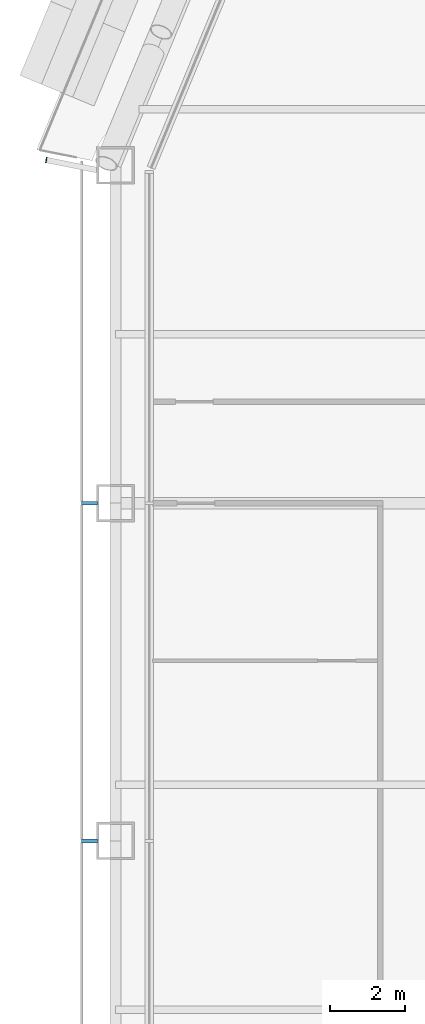
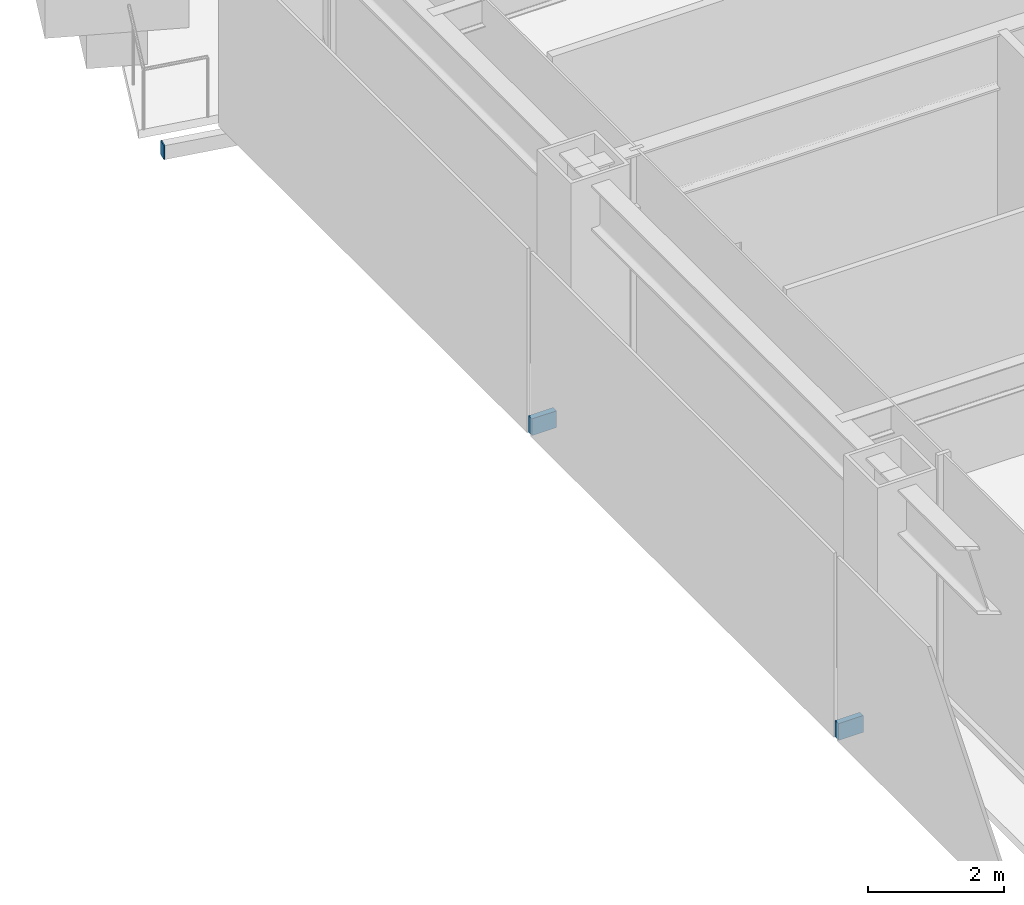
# One storey, part 19 of 29: 3 discrete accessories.
"""IFC4 building model written with IfcOpenShell, lengths in metres."""

from ifc_helpers import new_model, si_unit, direction, frame, origin, origin_2d, place, context, subcontext, project, spatial, rectangle, extrude, material, layer, layer_set, type_object, element, save


model = new_model("IFC4")

# Units and contexts
model_context = context("Model", 3, precision=1e-05, world=origin(), true_north=direction((0.0, 1.0)))
body_context = subcontext(model_context, "Body", "Model", "MODEL_VIEW")
ifc_project = project(units=[si_unit("LENGTHUNIT", "METRE"), si_unit("AREAUNIT", "SQUARE_METRE"), si_unit("VOLUMEUNIT", "CUBIC_METRE"), si_unit("PLANEANGLEUNIT", "RADIAN"), si_unit("MASSUNIT", "GRAM", prefix="KILO")], contexts=[model_context])

# Site, building, storey
site_placement = place(None, origin())
site = spatial("IfcSite", under=ifc_project, at=site_placement, CompositionType="ELEMENT")
building_placement = place(site_placement, origin())
building = spatial("IfcBuilding", under=site, at=building_placement, Name="Siwar Civic Tower", CompositionType="ELEMENT")
storey_placement = place(building_placement, frame((0.0, 0.0, 67.199951171875)))
storey = spatial("IfcBuildingStorey", under=building, at=storey_placement, Name="L14", CompositionType="ELEMENT", Elevation=67.199951171875)

# Discrete accessories
ifc_material_1 = material(Name="Stainless steel 316", Category="steel")
discrete_accessory_type_1 = type_object("IfcDiscreteAccessoryType", Name="ENV-BRACKET", PredefinedType="BRACKET", material=ifc_material_1)
for number, where, z_axis, x_axis, name in (
    (1, (-32.18994140625, 13.5, -0.14990234375), (0.0, 0.0, 1.0), (-1.0, 0.0, 0.0), "Bracket outer skin joint W-01"),
    (2, (-32.18994140625, 4.5, -0.14990234375), (0.0, 0.0, 1.0), (-1.0, 0.0, 0.0), "Bracket outer skin joint W-02"),
):
    element("IfcDiscreteAccessory", number, at=place(storey_placement, frame(where, z_axis=z_axis, x_axis=x_axis)), inside=storey, type_object=discrete_accessory_type_1, Name=name, PredefinedType="BRACKET", context=body_context, shape_type="SweptSolid", body=[
        extrude(rectangle(XDim=0.419921875, YDim=0.10009765625, at=origin_2d()), origin(), (0.0, 0.0, 1.0), 0.300048828125),
    ])
ifc_material_2 = material(Name="Steel S355", Category="steel")
ifc_layer = layer(ifc_material_2, 0.02001953125)
ifc_layer_set = layer_set([ifc_layer], Name="Steel S355")
discrete_accessory_type_2 = type_object("IfcDiscreteAccessoryType", Name="STR-END-CAP", PredefinedType="USERDEFINED", material=ifc_layer_set)
discrete_accessory_placement = place(storey_placement, frame((-33.3447265625, 22.642578125, -0.39990234375), z_axis=(0.0, 0.0, 1.0), x_axis=(-0.980785280383, 0.195090322119, 0.0)))
element("IfcDiscreteAccessory", 3, at=discrete_accessory_placement, inside=storey, type_object=discrete_accessory_type_2, Name="End cap plate Balcony cantilever beam NW 3", ObjectType="END CAP PLATE", PredefinedType="USERDEFINED", context=body_context, shape_type="SweptSolid", body=[
    extrude(rectangle(XDim=0.02001953125, YDim=0.14990234375, at=origin_2d()), origin(), (0.0, 0.0, 1.0), 0.25),
])

save(model, "model.ifc")
